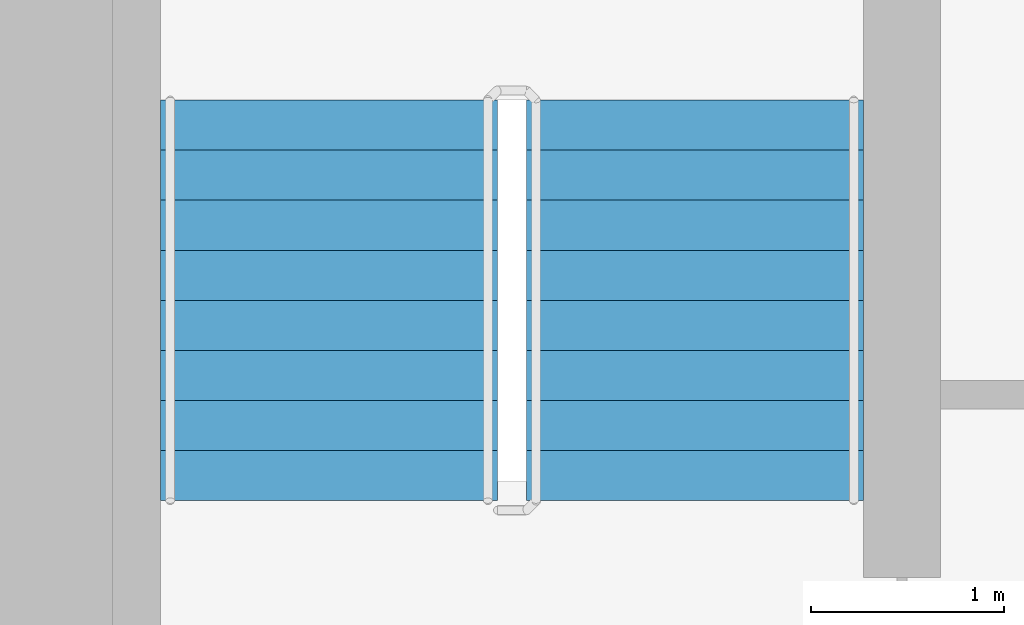
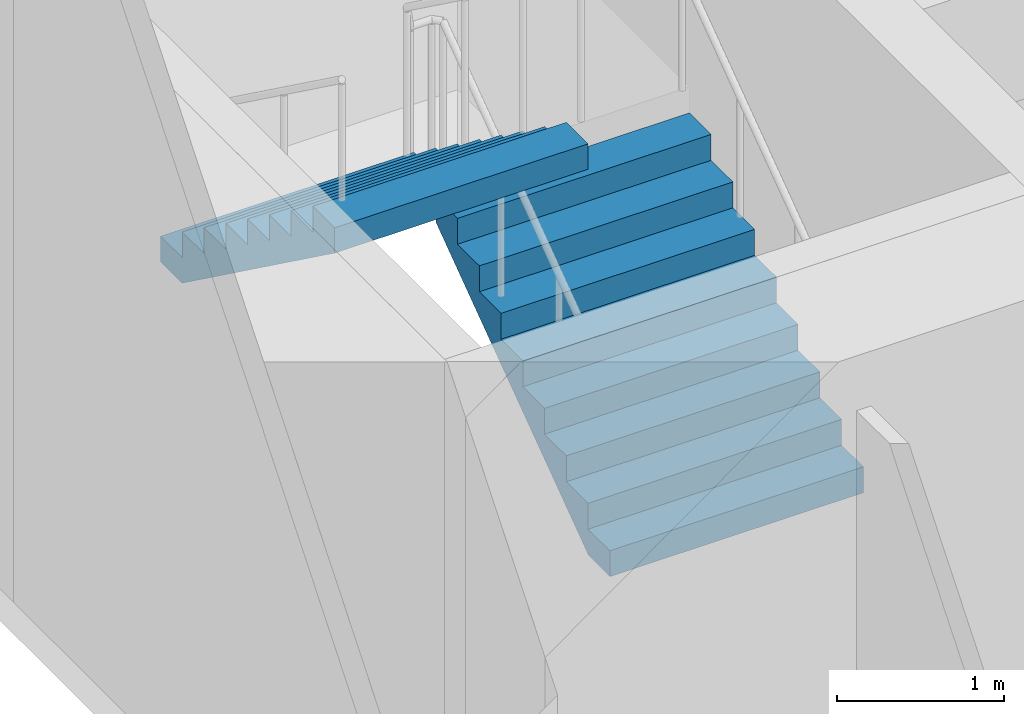
# One storey, part 18 of 21: 2 stair flights, 1 element without a shape of its own.
"""IFC4 building model written with IfcOpenShell, lengths in metres."""

from ifc_helpers import new_model, si_unit, direction, frame, origin, place, context, subcontext, project, spatial, faceted_brep, material, type_object, element, aggregate, save


model = new_model("IFC4")

# Units and contexts
model_context = context("Model", 3, precision=1e-05, world=origin(), true_north=direction((0.0, 1.0)))
body_context = subcontext(model_context, "Body", "Model", "MODEL_VIEW")
ifc_project = project(units=[si_unit("LENGTHUNIT", "METRE"), si_unit("AREAUNIT", "SQUARE_METRE"), si_unit("VOLUMEUNIT", "CUBIC_METRE"), si_unit("PLANEANGLEUNIT", "RADIAN"), si_unit("MASSUNIT", "GRAM", prefix="KILO")], contexts=[model_context])

# Site, building, storey
site_placement = place(None, origin())
site = spatial("IfcSite", under=ifc_project, at=site_placement, CompositionType="ELEMENT")
building_placement = place(site_placement, origin())
building = spatial("IfcBuilding", under=site, at=building_placement, Name="Ipe Terrace Towers", CompositionType="ELEMENT")
storey_placement = place(building_placement, frame((0.0, 0.0, 86.800048828125)))
storey = spatial("IfcBuildingStorey", under=building, at=storey_placement, Name="L23", CompositionType="ELEMENT", Elevation=86.800048828125)

# Stair, stair flights
ifc_material_1 = material(Name="Concrete C30/37", Category="concrete")
stair_type = type_object("IfcStairType", Name="Protected exit stair", PredefinedType="HALF_TURN_STAIR", material=ifc_material_1)
stair_placement = place(storey_placement, origin())
stair = element("IfcStair", 1, at=stair_placement, inside=storey, type_object=stair_type, Name="L23 Exit stair T2-C1", PredefinedType="HALF_TURN_STAIR")
ifc_material_2 = material(Name="Concrete C30/37", Category="concrete")
stair_flight_type = type_object("IfcStairFlightType", Name="Exit stair flight 1750", PredefinedType="STRAIGHT", material=ifc_material_2)
stair_flight_1_placement = place(storey_placement, frame((33.22509765625, 9.699951171875, 0.0), z_axis=(0.0, 0.0, 1.0), x_axis=(0.0, 1.0, 0.0)))
stair_flight_1 = element("IfcStairFlight", 2, at=stair_flight_1_placement, type_object=stair_flight_type, Name="T2-ST1 flight 1", NumberOfRisers=9, NumberOfTreads=8, PredefinedType="STRAIGHT", RiserHeight=0.188888889, TreadLength=0.26, context=body_context, shape_type="Brep", body=[
    faceted_brep([(0.255126953125, -0.875, 0.0), (2.080078125, -0.875, 1.325927734375), (2.080078125, -0.875, 1.51123046875), (1.820068359375, -0.875, 1.51123046875), (1.820068359375, -0.875, 1.322265625), (1.56005859375, -0.875, 1.322265625), (1.56005859375, -0.875, 1.13330078125), (1.300048828125, -0.875, 1.13330078125), (1.300048828125, -0.875, 0.9443359375), (1.0400390625, -0.875, 0.9443359375), (1.0400390625, -0.875, 0.755615234375), (0.780029296875, -0.875, 0.755615234375), (0.780029296875, -0.875, 0.566650390625), (0.52001953125, -0.875, 0.566650390625), (0.52001953125, -0.875, 0.377685546875), (0.260009765625, -0.875, 0.377685546875), (0.260009765625, -0.875, 0.18896484375), (0.0, -0.875, 0.18896484375), (0.0, -0.875, 0.0), (0.0, 0.875, 0.0), (0.0, 0.875, 0.18896484375), (0.260009765625, 0.875, 0.18896484375), (0.260009765625, 0.875, 0.377685546875), (0.52001953125, 0.875, 0.377685546875), (0.52001953125, 0.875, 0.566650390625), (0.780029296875, 0.875, 0.566650390625), (0.780029296875, 0.875, 0.755615234375), (1.0400390625, 0.875, 0.755615234375), (1.0400390625, 0.875, 0.9443359375), (1.300048828125, 0.875, 0.9443359375), (1.300048828125, 0.875, 1.13330078125), (1.56005859375, 0.875, 1.13330078125), (1.56005859375, 0.875, 1.322265625), (1.820068359375, 0.875, 1.322265625), (1.820068359375, 0.875, 1.51123046875), (2.080078125, 0.875, 1.51123046875), (2.080078125, 0.875, 1.325927734375), (0.255126953125, 0.875, 0.0), (0.0, -0.300048828125, 0.18896484375), (0.0, -0.1201171875, 0.18896484375), (0.0, -0.06005859375, 0.18896484375), (0.0, -0.030029296875, 0.18896484375), (0.0, -0.010009765625, 0.18896484375), (0.0, 0.0, 0.18896484375), (0.0, 0.010009765625, 0.18896484375), (0.0, 0.030029296875, 0.18896484375), (0.0, 0.06005859375, 0.18896484375), (0.0, 0.1201171875, 0.18896484375), (0.0, 0.300048828125, 0.18896484375), (0.0, 0.300048828125, 0.0), (0.0, 0.1201171875, 0.0), (0.0, 0.06005859375, 0.0), (0.0, 0.030029296875, 0.0), (0.0, 0.010009765625, 0.0), (0.0, 0.0, 0.0), (0.0, -0.010009765625, 0.0), (0.0, -0.030029296875, 0.0), (0.0, -0.06005859375, 0.0), (0.0, -0.1201171875, 0.0), (0.0, -0.300048828125, 0.0), (0.260009765625, -0.300048828125, 0.18896484375), (0.260009765625, -0.1201171875, 0.18896484375), (0.260009765625, -0.06005859375, 0.18896484375), (0.260009765625, -0.030029296875, 0.18896484375), (0.260009765625, -0.010009765625, 0.18896484375), (0.260009765625, 0.0, 0.18896484375), (0.260009765625, 0.010009765625, 0.18896484375), (0.260009765625, 0.030029296875, 0.18896484375), (0.260009765625, 0.06005859375, 0.18896484375), (0.260009765625, 0.1201171875, 0.18896484375), (0.260009765625, 0.300048828125, 0.18896484375), (0.260009765625, -0.300048828125, 0.377685546875), (0.260009765625, -0.1201171875, 0.377685546875), (0.260009765625, -0.06005859375, 0.377685546875), (0.260009765625, -0.030029296875, 0.377685546875), (0.260009765625, -0.010009765625, 0.377685546875), (0.260009765625, 0.0, 0.377685546875), (0.260009765625, 0.010009765625, 0.377685546875), (0.260009765625, 0.030029296875, 0.377685546875), (0.260009765625, 0.06005859375, 0.377685546875), (0.260009765625, 0.1201171875, 0.377685546875), (0.260009765625, 0.300048828125, 0.377685546875), (0.52001953125, -0.300048828125, 0.377685546875), (0.52001953125, -0.1201171875, 0.377685546875), (0.52001953125, -0.06005859375, 0.377685546875), (0.52001953125, -0.030029296875, 0.377685546875), (0.52001953125, -0.010009765625, 0.377685546875), (0.52001953125, 0.0, 0.377685546875), (0.52001953125, 0.010009765625, 0.377685546875), (0.52001953125, 0.030029296875, 0.377685546875), (0.52001953125, 0.06005859375, 0.377685546875), (0.52001953125, 0.1201171875, 0.377685546875), (0.52001953125, 0.300048828125, 0.377685546875), (0.52001953125, -0.300048828125, 0.566650390625), (0.52001953125, -0.1201171875, 0.566650390625), (0.52001953125, -0.06005859375, 0.566650390625), (0.52001953125, -0.030029296875, 0.566650390625), (0.52001953125, -0.010009765625, 0.566650390625), (0.52001953125, 0.0, 0.566650390625), (0.52001953125, 0.010009765625, 0.566650390625), (0.52001953125, 0.030029296875, 0.566650390625), (0.52001953125, 0.06005859375, 0.566650390625), (0.52001953125, 0.1201171875, 0.566650390625), (0.52001953125, 0.300048828125, 0.566650390625), (0.780029296875, -0.300048828125, 0.566650390625), (0.780029296875, -0.1201171875, 0.566650390625), (0.780029296875, -0.06005859375, 0.566650390625), (0.780029296875, -0.030029296875, 0.566650390625), (0.780029296875, -0.010009765625, 0.566650390625), (0.780029296875, 0.0, 0.566650390625), (0.780029296875, 0.010009765625, 0.566650390625), (0.780029296875, 0.030029296875, 0.566650390625), (0.780029296875, 0.06005859375, 0.566650390625), (0.780029296875, 0.1201171875, 0.566650390625), (0.780029296875, 0.300048828125, 0.566650390625), (0.780029296875, -0.300048828125, 0.755615234375), (0.780029296875, -0.1201171875, 0.755615234375), (0.780029296875, -0.06005859375, 0.755615234375), (0.780029296875, -0.030029296875, 0.755615234375), (0.780029296875, -0.010009765625, 0.755615234375), (0.780029296875, 0.0, 0.755615234375), (0.780029296875, 0.010009765625, 0.755615234375), (0.780029296875, 0.030029296875, 0.755615234375), (0.780029296875, 0.06005859375, 0.755615234375), (0.780029296875, 0.1201171875, 0.755615234375), (0.780029296875, 0.300048828125, 0.755615234375), (1.0400390625, -0.300048828125, 0.755615234375), (1.0400390625, -0.1201171875, 0.755615234375), (1.0400390625, -0.06005859375, 0.755615234375), (1.0400390625, -0.030029296875, 0.755615234375), (1.0400390625, -0.010009765625, 0.755615234375), (1.0400390625, 0.0, 0.755615234375), (1.0400390625, 0.010009765625, 0.755615234375), (1.0400390625, 0.030029296875, 0.755615234375), (1.0400390625, 0.06005859375, 0.755615234375), (1.0400390625, 0.1201171875, 0.755615234375), (1.0400390625, 0.300048828125, 0.755615234375), (1.0400390625, -0.300048828125, 0.9443359375), (1.0400390625, -0.1201171875, 0.9443359375), (1.0400390625, -0.06005859375, 0.9443359375), (1.0400390625, -0.030029296875, 0.9443359375), (1.0400390625, -0.010009765625, 0.9443359375), (1.0400390625, 0.0, 0.9443359375), (1.0400390625, 0.010009765625, 0.9443359375), (1.0400390625, 0.030029296875, 0.9443359375), (1.0400390625, 0.06005859375, 0.9443359375), (1.0400390625, 0.1201171875, 0.9443359375), (1.0400390625, 0.300048828125, 0.9443359375), (1.300048828125, -0.300048828125, 0.9443359375), (1.300048828125, -0.1201171875, 0.9443359375), (1.300048828125, -0.06005859375, 0.9443359375), (1.300048828125, -0.030029296875, 0.9443359375), (1.300048828125, -0.010009765625, 0.9443359375), (1.300048828125, 0.0, 0.9443359375), (1.300048828125, 0.010009765625, 0.9443359375), (1.300048828125, 0.030029296875, 0.9443359375), (1.300048828125, 0.06005859375, 0.9443359375), (1.300048828125, 0.1201171875, 0.9443359375), (1.300048828125, 0.300048828125, 0.9443359375), (1.300048828125, -0.300048828125, 1.13330078125), (1.300048828125, -0.1201171875, 1.13330078125), (1.300048828125, -0.06005859375, 1.13330078125), (1.300048828125, -0.030029296875, 1.13330078125), (1.300048828125, -0.010009765625, 1.13330078125), (1.300048828125, 0.0, 1.13330078125), (1.300048828125, 0.010009765625, 1.13330078125), (1.300048828125, 0.030029296875, 1.13330078125), (1.300048828125, 0.06005859375, 1.13330078125), (1.300048828125, 0.1201171875, 1.13330078125), (1.300048828125, 0.300048828125, 1.13330078125), (1.56005859375, -0.300048828125, 1.13330078125), (1.56005859375, -0.1201171875, 1.13330078125), (1.56005859375, -0.06005859375, 1.13330078125), (1.56005859375, -0.030029296875, 1.13330078125), (1.56005859375, -0.010009765625, 1.13330078125), (1.56005859375, 0.0, 1.13330078125), (1.56005859375, 0.010009765625, 1.13330078125), (1.56005859375, 0.030029296875, 1.13330078125), (1.56005859375, 0.06005859375, 1.13330078125), (1.56005859375, 0.1201171875, 1.13330078125), (1.56005859375, 0.300048828125, 1.13330078125), (1.56005859375, -0.300048828125, 1.322265625), (1.56005859375, -0.1201171875, 1.322265625), (1.56005859375, -0.06005859375, 1.322265625), (1.56005859375, -0.030029296875, 1.322265625), (1.56005859375, -0.010009765625, 1.322265625), (1.56005859375, 0.0, 1.322265625), (1.56005859375, 0.010009765625, 1.322265625), (1.56005859375, 0.030029296875, 1.322265625), (1.56005859375, 0.06005859375, 1.322265625), (1.56005859375, 0.1201171875, 1.322265625), (1.56005859375, 0.300048828125, 1.322265625), (1.820068359375, -0.300048828125, 1.322265625), (1.820068359375, -0.1201171875, 1.322265625), (1.820068359375, -0.06005859375, 1.322265625), (1.820068359375, -0.030029296875, 1.322265625), (1.820068359375, -0.010009765625, 1.322265625), (1.820068359375, 0.0, 1.322265625), (1.820068359375, 0.010009765625, 1.322265625), (1.820068359375, 0.030029296875, 1.322265625), (1.820068359375, 0.06005859375, 1.322265625), (1.820068359375, 0.1201171875, 1.322265625), (1.820068359375, 0.300048828125, 1.322265625), (1.820068359375, -0.300048828125, 1.51123046875), (1.820068359375, -0.1201171875, 1.51123046875), (1.820068359375, -0.06005859375, 1.51123046875), (1.820068359375, -0.030029296875, 1.51123046875), (1.820068359375, -0.010009765625, 1.51123046875), (1.820068359375, 0.0, 1.51123046875), (1.820068359375, 0.010009765625, 1.51123046875), (1.820068359375, 0.030029296875, 1.51123046875), (1.820068359375, 0.06005859375, 1.51123046875), (1.820068359375, 0.1201171875, 1.51123046875), (1.820068359375, 0.300048828125, 1.51123046875), (2.080078125, -0.300048828125, 1.51123046875), (2.080078125, -0.1201171875, 1.51123046875), (2.080078125, -0.06005859375, 1.51123046875), (2.080078125, -0.030029296875, 1.51123046875), (2.080078125, -0.010009765625, 1.51123046875), (2.080078125, 0.0, 1.51123046875), (2.080078125, 0.010009765625, 1.51123046875), (2.080078125, 0.030029296875, 1.51123046875), (2.080078125, 0.06005859375, 1.51123046875), (2.080078125, 0.1201171875, 1.51123046875), (2.080078125, 0.300048828125, 1.51123046875), (2.080078125, -0.300048828125, 1.325927734375), (2.080078125, -0.1201171875, 1.325927734375), (2.080078125, -0.06005859375, 1.325927734375), (2.080078125, -0.030029296875, 1.325927734375), (2.080078125, -0.010009765625, 1.325927734375), (2.080078125, 0.0, 1.325927734375), (2.080078125, 0.010009765625, 1.325927734375), (2.080078125, 0.030029296875, 1.325927734375), (2.080078125, 0.06005859375, 1.325927734375), (2.080078125, 0.1201171875, 1.325927734375), (2.080078125, 0.300048828125, 1.325927734375), (0.255126953125, -0.300048828125, 0.0), (0.255126953125, -0.1201171875, 0.0), (0.255126953125, -0.06005859375, 0.0), (0.255126953125, -0.030029296875, 0.0), (0.255126953125, -0.010009765625, 0.0), (0.255126953125, 0.0, 0.0), (0.255126953125, 0.010009765625, 0.0), (0.255126953125, 0.030029296875, 0.0), (0.255126953125, 0.06005859375, 0.0), (0.255126953125, 0.1201171875, 0.0), (0.255126953125, 0.300048828125, 0.0)], [[[0, 1, 2, 3, 4, 5, 6, 7, 8, 9, 10, 11, 12, 13, 14, 15, 16, 17, 18]], [[19, 20, 21, 22, 23, 24, 25, 26, 27, 28, 29, 30, 31, 32, 33, 34, 35, 36, 37]], [[17, 38, 39, 40, 41, 42, 43, 44, 45, 46, 47, 48, 20, 19, 49, 50, 51, 52, 53, 54, 55, 56, 57, 58, 59, 18]], [[16, 60, 61, 62, 63, 64, 65, 66, 67, 68, 69, 70, 21, 20, 48, 47, 46, 45, 44, 43, 42, 41, 40, 39, 38, 17]], [[15, 71, 72, 73, 74, 75, 76, 77, 78, 79, 80, 81, 22, 21, 70, 69, 68, 67, 66, 65, 64, 63, 62, 61, 60, 16]], [[14, 82, 83, 84, 85, 86, 87, 88, 89, 90, 91, 92, 23, 22, 81, 80, 79, 78, 77, 76, 75, 74, 73, 72, 71, 15]], [[13, 93, 94, 95, 96, 97, 98, 99, 100, 101, 102, 103, 24, 23, 92, 91, 90, 89, 88, 87, 86, 85, 84, 83, 82, 14]], [[12, 104, 105, 106, 107, 108, 109, 110, 111, 112, 113, 114, 25, 24, 103, 102, 101, 100, 99, 98, 97, 96, 95, 94, 93, 13]], [[11, 115, 116, 117, 118, 119, 120, 121, 122, 123, 124, 125, 26, 25, 114, 113, 112, 111, 110, 109, 108, 107, 106, 105, 104, 12]], [[10, 126, 127, 128, 129, 130, 131, 132, 133, 134, 135, 136, 27, 26, 125, 124, 123, 122, 121, 120, 119, 118, 117, 116, 115, 11]], [[9, 137, 138, 139, 140, 141, 142, 143, 144, 145, 146, 147, 28, 27, 136, 135, 134, 133, 132, 131, 130, 129, 128, 127, 126, 10]], [[8, 148, 149, 150, 151, 152, 153, 154, 155, 156, 157, 158, 29, 28, 147, 146, 145, 144, 143, 142, 141, 140, 139, 138, 137, 9]], [[7, 159, 160, 161, 162, 163, 164, 165, 166, 167, 168, 169, 30, 29, 158, 157, 156, 155, 154, 153, 152, 151, 150, 149, 148, 8]], [[6, 170, 171, 172, 173, 174, 175, 176, 177, 178, 179, 180, 31, 30, 169, 168, 167, 166, 165, 164, 163, 162, 161, 160, 159, 7]], [[5, 181, 182, 183, 184, 185, 186, 187, 188, 189, 190, 191, 32, 31, 180, 179, 178, 177, 176, 175, 174, 173, 172, 171, 170, 6]], [[4, 192, 193, 194, 195, 196, 197, 198, 199, 200, 201, 202, 33, 32, 191, 190, 189, 188, 187, 186, 185, 184, 183, 182, 181, 5]], [[3, 203, 204, 205, 206, 207, 208, 209, 210, 211, 212, 213, 34, 33, 202, 201, 200, 199, 198, 197, 196, 195, 194, 193, 192, 4]], [[2, 214, 215, 216, 217, 218, 219, 220, 221, 222, 223, 224, 35, 34, 213, 212, 211, 210, 209, 208, 207, 206, 205, 204, 203, 3]], [[1, 225, 226, 227, 228, 229, 230, 231, 232, 233, 234, 235, 36, 35, 224, 223, 222, 221, 220, 219, 218, 217, 216, 215, 214, 2]], [[0, 236, 237, 238, 239, 240, 241, 242, 243, 244, 245, 246, 37, 36, 235, 234, 233, 232, 231, 230, 229, 228, 227, 226, 225, 1]], [[18, 59, 58, 57, 56, 55, 54, 53, 52, 51, 50, 49, 19, 37, 246, 245, 244, 243, 242, 241, 240, 239, 238, 237, 236, 0]]]),
])
stair_flight_2_placement = place(storey_placement, frame((31.324951171875, 11.780029296875, 1.699951171875), z_axis=(0.0, 0.0, 1.0), x_axis=(0.0, -1.0, 0.0)))
stair_flight_2 = element("IfcStairFlight", 3, at=stair_flight_2_placement, type_object=stair_flight_type, Name="T2-ST1 flight 2", NumberOfRisers=9, NumberOfTreads=8, PredefinedType="STRAIGHT", RiserHeight=0.188888889, TreadLength=0.26, context=body_context, shape_type="Brep", body=[
    faceted_brep([(0.255126953125, -0.875, 0.0), (2.080078125, -0.875, 1.325927734375), (2.080078125, -0.875, 1.51123046875), (1.820068359375, -0.875, 1.51123046875), (1.820068359375, -0.875, 1.322265625), (1.56005859375, -0.875, 1.322265625), (1.56005859375, -0.875, 1.13330078125), (1.300048828125, -0.875, 1.13330078125), (1.300048828125, -0.875, 0.9443359375), (1.0400390625, -0.875, 0.9443359375), (1.0400390625, -0.875, 0.755615234375), (0.780029296875, -0.875, 0.755615234375), (0.780029296875, -0.875, 0.566650390625), (0.52001953125, -0.875, 0.566650390625), (0.52001953125, -0.875, 0.377685546875), (0.260009765625, -0.875, 0.377685546875), (0.260009765625, -0.875, 0.18896484375), (0.0, -0.875, 0.18896484375), (0.0, -0.875, 0.0), (0.0, 0.875, 0.0), (0.0, 0.875, 0.18896484375), (0.260009765625, 0.875, 0.18896484375), (0.260009765625, 0.875, 0.377685546875), (0.52001953125, 0.875, 0.377685546875), (0.52001953125, 0.875, 0.566650390625), (0.780029296875, 0.875, 0.566650390625), (0.780029296875, 0.875, 0.755615234375), (1.0400390625, 0.875, 0.755615234375), (1.0400390625, 0.875, 0.9443359375), (1.300048828125, 0.875, 0.9443359375), (1.300048828125, 0.875, 1.13330078125), (1.56005859375, 0.875, 1.13330078125), (1.56005859375, 0.875, 1.322265625), (1.820068359375, 0.875, 1.322265625), (1.820068359375, 0.875, 1.51123046875), (2.080078125, 0.875, 1.51123046875), (2.080078125, 0.875, 1.325927734375), (0.255126953125, 0.875, 0.0), (0.0, -0.300048828125, 0.18896484375), (0.0, -0.1201171875, 0.18896484375), (0.0, -0.06005859375, 0.18896484375), (0.0, -0.030029296875, 0.18896484375), (0.0, -0.010009765625, 0.18896484375), (0.0, 0.0, 0.18896484375), (0.0, 0.010009765625, 0.18896484375), (0.0, 0.030029296875, 0.18896484375), (0.0, 0.06005859375, 0.18896484375), (0.0, 0.1201171875, 0.18896484375), (0.0, 0.300048828125, 0.18896484375), (0.0, 0.300048828125, 0.0), (0.0, 0.1201171875, 0.0), (0.0, 0.06005859375, 0.0), (0.0, 0.030029296875, 0.0), (0.0, 0.010009765625, 0.0), (0.0, 0.0, 0.0), (0.0, -0.010009765625, 0.0), (0.0, -0.030029296875, 0.0), (0.0, -0.06005859375, 0.0), (0.0, -0.1201171875, 0.0), (0.0, -0.300048828125, 0.0), (0.260009765625, -0.300048828125, 0.18896484375), (0.260009765625, -0.1201171875, 0.18896484375), (0.260009765625, -0.06005859375, 0.18896484375), (0.260009765625, -0.030029296875, 0.18896484375), (0.260009765625, -0.010009765625, 0.18896484375), (0.260009765625, 0.0, 0.18896484375), (0.260009765625, 0.010009765625, 0.18896484375), (0.260009765625, 0.030029296875, 0.18896484375), (0.260009765625, 0.06005859375, 0.18896484375), (0.260009765625, 0.1201171875, 0.18896484375), (0.260009765625, 0.300048828125, 0.18896484375), (0.260009765625, -0.300048828125, 0.377685546875), (0.260009765625, -0.1201171875, 0.377685546875), (0.260009765625, -0.06005859375, 0.377685546875), (0.260009765625, -0.030029296875, 0.377685546875), (0.260009765625, -0.010009765625, 0.377685546875), (0.260009765625, 0.0, 0.377685546875), (0.260009765625, 0.010009765625, 0.377685546875), (0.260009765625, 0.030029296875, 0.377685546875), (0.260009765625, 0.06005859375, 0.377685546875), (0.260009765625, 0.1201171875, 0.377685546875), (0.260009765625, 0.300048828125, 0.377685546875), (0.52001953125, -0.300048828125, 0.377685546875), (0.52001953125, -0.1201171875, 0.377685546875), (0.52001953125, -0.06005859375, 0.377685546875), (0.52001953125, -0.030029296875, 0.377685546875), (0.52001953125, -0.010009765625, 0.377685546875), (0.52001953125, 0.0, 0.377685546875), (0.52001953125, 0.010009765625, 0.377685546875), (0.52001953125, 0.030029296875, 0.377685546875), (0.52001953125, 0.06005859375, 0.377685546875), (0.52001953125, 0.1201171875, 0.377685546875), (0.52001953125, 0.300048828125, 0.377685546875), (0.52001953125, -0.300048828125, 0.566650390625), (0.52001953125, -0.1201171875, 0.566650390625), (0.52001953125, -0.06005859375, 0.566650390625), (0.52001953125, -0.030029296875, 0.566650390625), (0.52001953125, -0.010009765625, 0.566650390625), (0.52001953125, 0.0, 0.566650390625), (0.52001953125, 0.010009765625, 0.566650390625), (0.52001953125, 0.030029296875, 0.566650390625), (0.52001953125, 0.06005859375, 0.566650390625), (0.52001953125, 0.1201171875, 0.566650390625), (0.52001953125, 0.300048828125, 0.566650390625), (0.780029296875, -0.300048828125, 0.566650390625), (0.780029296875, -0.1201171875, 0.566650390625), (0.780029296875, -0.06005859375, 0.566650390625), (0.780029296875, -0.030029296875, 0.566650390625), (0.780029296875, -0.010009765625, 0.566650390625), (0.780029296875, 0.0, 0.566650390625), (0.780029296875, 0.010009765625, 0.566650390625), (0.780029296875, 0.030029296875, 0.566650390625), (0.780029296875, 0.06005859375, 0.566650390625), (0.780029296875, 0.1201171875, 0.566650390625), (0.780029296875, 0.300048828125, 0.566650390625), (0.780029296875, -0.300048828125, 0.755615234375), (0.780029296875, -0.1201171875, 0.755615234375), (0.780029296875, -0.06005859375, 0.755615234375), (0.780029296875, -0.030029296875, 0.755615234375), (0.780029296875, -0.010009765625, 0.755615234375), (0.780029296875, 0.0, 0.755615234375), (0.780029296875, 0.010009765625, 0.755615234375), (0.780029296875, 0.030029296875, 0.755615234375), (0.780029296875, 0.06005859375, 0.755615234375), (0.780029296875, 0.1201171875, 0.755615234375), (0.780029296875, 0.300048828125, 0.755615234375), (1.0400390625, -0.300048828125, 0.755615234375), (1.0400390625, -0.1201171875, 0.755615234375), (1.0400390625, -0.06005859375, 0.755615234375), (1.0400390625, -0.030029296875, 0.755615234375), (1.0400390625, -0.010009765625, 0.755615234375), (1.0400390625, 0.0, 0.755615234375), (1.0400390625, 0.010009765625, 0.755615234375), (1.0400390625, 0.030029296875, 0.755615234375), (1.0400390625, 0.06005859375, 0.755615234375), (1.0400390625, 0.1201171875, 0.755615234375), (1.0400390625, 0.300048828125, 0.755615234375), (1.0400390625, -0.300048828125, 0.9443359375), (1.0400390625, -0.1201171875, 0.9443359375), (1.0400390625, -0.06005859375, 0.9443359375), (1.0400390625, -0.030029296875, 0.9443359375), (1.0400390625, -0.010009765625, 0.9443359375), (1.0400390625, 0.0, 0.9443359375), (1.0400390625, 0.010009765625, 0.9443359375), (1.0400390625, 0.030029296875, 0.9443359375), (1.0400390625, 0.06005859375, 0.9443359375), (1.0400390625, 0.1201171875, 0.9443359375), (1.0400390625, 0.300048828125, 0.9443359375), (1.300048828125, -0.300048828125, 0.9443359375), (1.300048828125, -0.1201171875, 0.9443359375), (1.300048828125, -0.06005859375, 0.9443359375), (1.300048828125, -0.030029296875, 0.9443359375), (1.300048828125, -0.010009765625, 0.9443359375), (1.300048828125, 0.0, 0.9443359375), (1.300048828125, 0.010009765625, 0.9443359375), (1.300048828125, 0.030029296875, 0.9443359375), (1.300048828125, 0.06005859375, 0.9443359375), (1.300048828125, 0.1201171875, 0.9443359375), (1.300048828125, 0.300048828125, 0.9443359375), (1.300048828125, -0.300048828125, 1.13330078125), (1.300048828125, -0.1201171875, 1.13330078125), (1.300048828125, -0.06005859375, 1.13330078125), (1.300048828125, -0.030029296875, 1.13330078125), (1.300048828125, -0.010009765625, 1.13330078125), (1.300048828125, 0.0, 1.13330078125), (1.300048828125, 0.010009765625, 1.13330078125), (1.300048828125, 0.030029296875, 1.13330078125), (1.300048828125, 0.06005859375, 1.13330078125), (1.300048828125, 0.1201171875, 1.13330078125), (1.300048828125, 0.300048828125, 1.13330078125), (1.56005859375, -0.300048828125, 1.13330078125), (1.56005859375, -0.1201171875, 1.13330078125), (1.56005859375, -0.06005859375, 1.13330078125), (1.56005859375, -0.030029296875, 1.13330078125), (1.56005859375, -0.010009765625, 1.13330078125), (1.56005859375, 0.0, 1.13330078125), (1.56005859375, 0.010009765625, 1.13330078125), (1.56005859375, 0.030029296875, 1.13330078125), (1.56005859375, 0.06005859375, 1.13330078125), (1.56005859375, 0.1201171875, 1.13330078125), (1.56005859375, 0.300048828125, 1.13330078125), (1.56005859375, -0.300048828125, 1.322265625), (1.56005859375, -0.1201171875, 1.322265625), (1.56005859375, -0.06005859375, 1.322265625), (1.56005859375, -0.030029296875, 1.322265625), (1.56005859375, -0.010009765625, 1.322265625), (1.56005859375, 0.0, 1.322265625), (1.56005859375, 0.010009765625, 1.322265625), (1.56005859375, 0.030029296875, 1.322265625), (1.56005859375, 0.06005859375, 1.322265625), (1.56005859375, 0.1201171875, 1.322265625), (1.56005859375, 0.300048828125, 1.322265625), (1.820068359375, -0.300048828125, 1.322265625), (1.820068359375, -0.1201171875, 1.322265625), (1.820068359375, -0.06005859375, 1.322265625), (1.820068359375, -0.030029296875, 1.322265625), (1.820068359375, -0.010009765625, 1.322265625), (1.820068359375, 0.0, 1.322265625), (1.820068359375, 0.010009765625, 1.322265625), (1.820068359375, 0.030029296875, 1.322265625), (1.820068359375, 0.06005859375, 1.322265625), (1.820068359375, 0.1201171875, 1.322265625), (1.820068359375, 0.300048828125, 1.322265625), (1.820068359375, -0.300048828125, 1.51123046875), (1.820068359375, -0.1201171875, 1.51123046875), (1.820068359375, -0.06005859375, 1.51123046875), (1.820068359375, -0.030029296875, 1.51123046875), (1.820068359375, -0.010009765625, 1.51123046875), (1.820068359375, 0.0, 1.51123046875), (1.820068359375, 0.010009765625, 1.51123046875), (1.820068359375, 0.030029296875, 1.51123046875), (1.820068359375, 0.06005859375, 1.51123046875), (1.820068359375, 0.1201171875, 1.51123046875), (1.820068359375, 0.300048828125, 1.51123046875), (2.080078125, -0.300048828125, 1.51123046875), (2.080078125, -0.1201171875, 1.51123046875), (2.080078125, -0.06005859375, 1.51123046875), (2.080078125, -0.030029296875, 1.51123046875), (2.080078125, -0.010009765625, 1.51123046875), (2.080078125, 0.0, 1.51123046875), (2.080078125, 0.010009765625, 1.51123046875), (2.080078125, 0.030029296875, 1.51123046875), (2.080078125, 0.06005859375, 1.51123046875), (2.080078125, 0.1201171875, 1.51123046875), (2.080078125, 0.300048828125, 1.51123046875), (2.080078125, -0.300048828125, 1.325927734375), (2.080078125, -0.1201171875, 1.325927734375), (2.080078125, -0.06005859375, 1.325927734375), (2.080078125, -0.030029296875, 1.325927734375), (2.080078125, -0.010009765625, 1.325927734375), (2.080078125, 0.0, 1.325927734375), (2.080078125, 0.010009765625, 1.325927734375), (2.080078125, 0.030029296875, 1.325927734375), (2.080078125, 0.06005859375, 1.325927734375), (2.080078125, 0.1201171875, 1.325927734375), (2.080078125, 0.300048828125, 1.325927734375), (0.255126953125, -0.300048828125, 0.0), (0.255126953125, -0.1201171875, 0.0), (0.255126953125, -0.06005859375, 0.0), (0.255126953125, -0.030029296875, 0.0), (0.255126953125, -0.010009765625, 0.0), (0.255126953125, 0.0, 0.0), (0.255126953125, 0.010009765625, 0.0), (0.255126953125, 0.030029296875, 0.0), (0.255126953125, 0.06005859375, 0.0), (0.255126953125, 0.1201171875, 0.0), (0.255126953125, 0.300048828125, 0.0)], [[[0, 1, 2, 3, 4, 5, 6, 7, 8, 9, 10, 11, 12, 13, 14, 15, 16, 17, 18]], [[19, 20, 21, 22, 23, 24, 25, 26, 27, 28, 29, 30, 31, 32, 33, 34, 35, 36, 37]], [[17, 38, 39, 40, 41, 42, 43, 44, 45, 46, 47, 48, 20, 19, 49, 50, 51, 52, 53, 54, 55, 56, 57, 58, 59, 18]], [[16, 60, 61, 62, 63, 64, 65, 66, 67, 68, 69, 70, 21, 20, 48, 47, 46, 45, 44, 43, 42, 41, 40, 39, 38, 17]], [[15, 71, 72, 73, 74, 75, 76, 77, 78, 79, 80, 81, 22, 21, 70, 69, 68, 67, 66, 65, 64, 63, 62, 61, 60, 16]], [[14, 82, 83, 84, 85, 86, 87, 88, 89, 90, 91, 92, 23, 22, 81, 80, 79, 78, 77, 76, 75, 74, 73, 72, 71, 15]], [[13, 93, 94, 95, 96, 97, 98, 99, 100, 101, 102, 103, 24, 23, 92, 91, 90, 89, 88, 87, 86, 85, 84, 83, 82, 14]], [[12, 104, 105, 106, 107, 108, 109, 110, 111, 112, 113, 114, 25, 24, 103, 102, 101, 100, 99, 98, 97, 96, 95, 94, 93, 13]], [[11, 115, 116, 117, 118, 119, 120, 121, 122, 123, 124, 125, 26, 25, 114, 113, 112, 111, 110, 109, 108, 107, 106, 105, 104, 12]], [[10, 126, 127, 128, 129, 130, 131, 132, 133, 134, 135, 136, 27, 26, 125, 124, 123, 122, 121, 120, 119, 118, 117, 116, 115, 11]], [[9, 137, 138, 139, 140, 141, 142, 143, 144, 145, 146, 147, 28, 27, 136, 135, 134, 133, 132, 131, 130, 129, 128, 127, 126, 10]], [[8, 148, 149, 150, 151, 152, 153, 154, 155, 156, 157, 158, 29, 28, 147, 146, 145, 144, 143, 142, 141, 140, 139, 138, 137, 9]], [[7, 159, 160, 161, 162, 163, 164, 165, 166, 167, 168, 169, 30, 29, 158, 157, 156, 155, 154, 153, 152, 151, 150, 149, 148, 8]], [[6, 170, 171, 172, 173, 174, 175, 176, 177, 178, 179, 180, 31, 30, 169, 168, 167, 166, 165, 164, 163, 162, 161, 160, 159, 7]], [[5, 181, 182, 183, 184, 185, 186, 187, 188, 189, 190, 191, 32, 31, 180, 179, 178, 177, 176, 175, 174, 173, 172, 171, 170, 6]], [[4, 192, 193, 194, 195, 196, 197, 198, 199, 200, 201, 202, 33, 32, 191, 190, 189, 188, 187, 186, 185, 184, 183, 182, 181, 5]], [[3, 203, 204, 205, 206, 207, 208, 209, 210, 211, 212, 213, 34, 33, 202, 201, 200, 199, 198, 197, 196, 195, 194, 193, 192, 4]], [[2, 214, 215, 216, 217, 218, 219, 220, 221, 222, 223, 224, 35, 34, 213, 212, 211, 210, 209, 208, 207, 206, 205, 204, 203, 3]], [[1, 225, 226, 227, 228, 229, 230, 231, 232, 233, 234, 235, 36, 35, 224, 223, 222, 221, 220, 219, 218, 217, 216, 215, 214, 2]], [[0, 236, 237, 238, 239, 240, 241, 242, 243, 244, 245, 246, 37, 36, 235, 234, 233, 232, 231, 230, 229, 228, 227, 226, 225, 1]], [[18, 59, 58, 57, 56, 55, 54, 53, 52, 51, 50, 49, 19, 37, 246, 245, 244, 243, 242, 241, 240, 239, 238, 237, 236, 0]]]),
])
aggregate(stair, [stair_flight_1, stair_flight_2])

save(model, "model.ifc")
